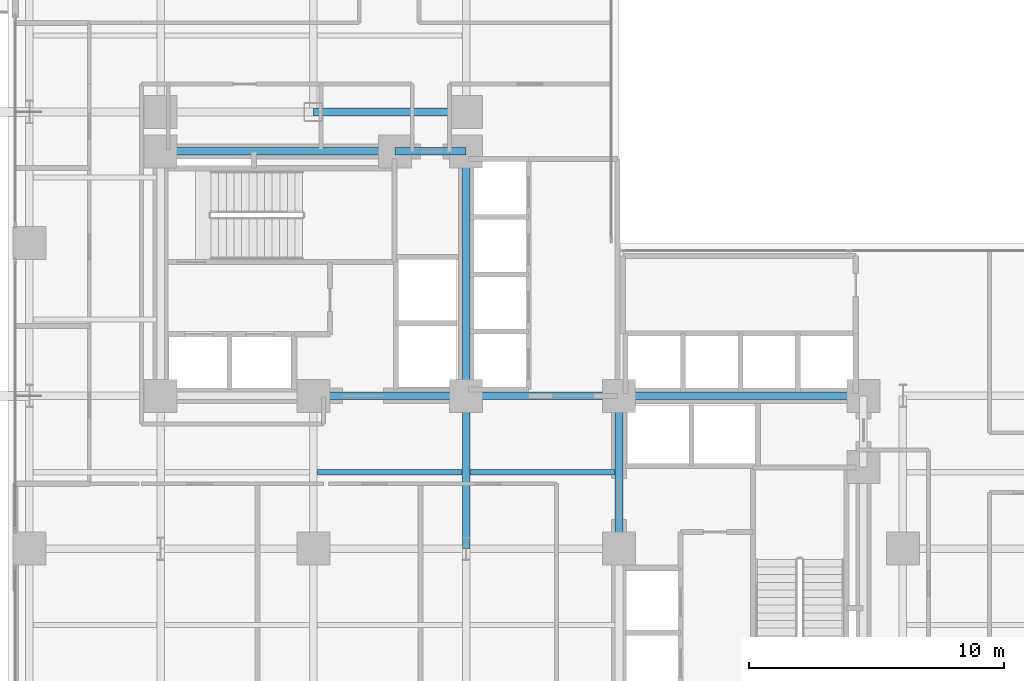
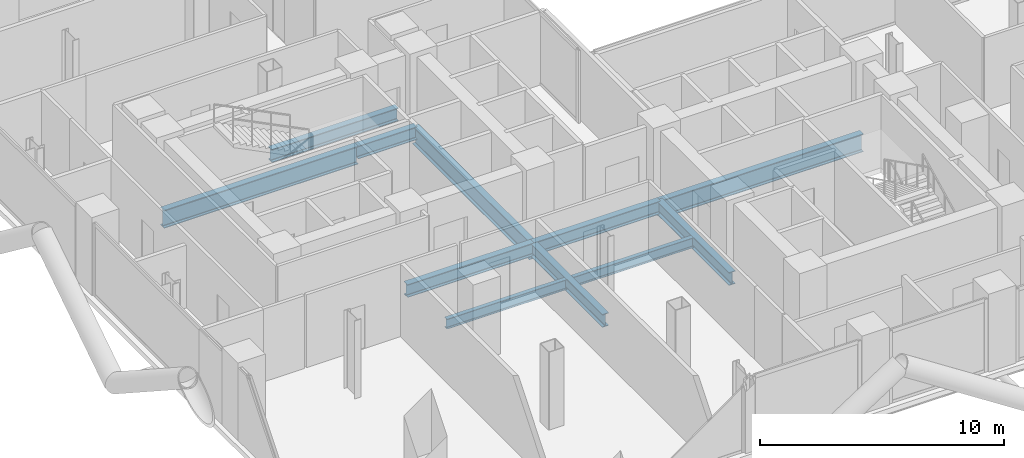
# One storey, part 6 of 27: 11 beams.
"""IFC4 building model written with IfcOpenShell, lengths in metres."""

from ifc_helpers import new_model, si_unit, direction, frame, origin, origin_2d, place, context, subcontext, project, spatial, i_section, extrude, material, material_profile, profile_set, type_object, element, save


model = new_model("IFC4")

# Units and contexts
model_context = context("Model", 3, precision=1e-05, world=origin(), true_north=direction((0.0, 1.0)))
body_context = subcontext(model_context, "Body", "Model", "MODEL_VIEW")
ifc_project = project(units=[si_unit("LENGTHUNIT", "METRE"), si_unit("AREAUNIT", "SQUARE_METRE"), si_unit("VOLUMEUNIT", "CUBIC_METRE"), si_unit("PLANEANGLEUNIT", "RADIAN"), si_unit("MASSUNIT", "GRAM", prefix="KILO"), si_unit("THERMODYNAMICTEMPERATUREUNIT", "KELVIN"), si_unit("POWERUNIT", "WATT")], contexts=[model_context])

# Site, building, storey
site_placement = place(None, origin())
site = spatial("IfcSite", under=ifc_project, at=site_placement, CompositionType="ELEMENT")
building_placement = place(site_placement, origin())
building = spatial("IfcBuilding", under=site, at=building_placement, Name="Svarakhadi Broadcast Tower", CompositionType="ELEMENT")
storey_placement = place(building_placement, frame((0.0, 0.0, 71.39990234375)))
storey = spatial("IfcBuildingStorey", under=building, at=storey_placement, Name="L16", CompositionType="ELEMENT", Elevation=71.39990234375)

# Beams
ifc_material_1 = material(Name="Steel S355J2 (IS 2062 E350C)", Category="steel")
ifc_material_profile_1 = material_profile(ifc_material_1, i_section(OverallWidth=0.199951171875, OverallDepth=0.5, WebThickness=0.01025390625, FlangeThickness=0.01611328125, FilletRadius=0.02099609375, at=origin_2d()), Name="NPB 500x200x91")
ifc_profile_set_1 = profile_set([ifc_material_profile_1], Name="Steel S355J2 (IS 2062 E350C)")
beam_type_1 = type_object("IfcBeamType", Name="Beam_NPB500", PredefinedType="BEAM", material=ifc_profile_set_1)
for number, where, z_axis, x_axis, name in (
    (1, (12.159912109375, 15.0, -0.5), (1.0, 0.0, 0.0), (0.0, 1.0, 0.0), "L16 Secondary Composite Beam SB015"),
    (2, (18.159912109375, 15.0, -0.5), (1.0, 0.0, 0.0), (0.0, 1.0, 0.0), "L16 Secondary Composite Beam SB021"),
):
    element("IfcBeam", number, at=place(storey_placement, frame(where, z_axis=z_axis, x_axis=x_axis)), inside=storey, type_object=beam_type_1, Name=name, PredefinedType="BEAM", context=body_context, shape_type="SweptSolid", body=[
        extrude(i_section(OverallWidth=0.199951171875, OverallDepth=0.5, WebThickness=0.01025390625, FlangeThickness=0.01611328125, FilletRadius=0.02099609375, at=origin_2d()), origin(), (0.0, 0.0, 1.0), 5.68017578125),
    ])
ifc_material_profile_2 = material_profile(ifc_material_1, i_section(OverallWidth=0.300048828125, OverallDepth=0.64990234375, WebThickness=0.01611328125, FlangeThickness=0.031005859375, FilletRadius=0.027099609375, at=origin_2d()), Name="WPB 650x300x225")
ifc_profile_set_2 = profile_set([ifc_material_profile_2], Name="Steel S355J2 (IS 2062 E350C)")
beam_type_2 = type_object("IfcBeamType", Name="Girder_WPB650", PredefinedType="USERDEFINED", material=ifc_profile_set_2)
for number, where, z_axis, x_axis, name in (
    (3, (12.0, 18.0, -0.574951171875), (1.0, 0.0, 0.0), (0.0, 1.0, 0.0), "L16 Primary E-W Girder G027"),
    (4, (18.0, 18.0, -0.574951171875), (1.0, 0.0, 0.0), (0.0, 1.0, 0.0), "L16 Primary E-W Girder G028"),
):
    element("IfcBeam", number, at=place(storey_placement, frame(where, z_axis=z_axis, x_axis=x_axis)), inside=storey, type_object=beam_type_2, Name=name, ObjectType="GIRDER", PredefinedType="USERDEFINED", context=body_context, shape_type="SweptSolid", body=[
        extrude(i_section(OverallWidth=0.300048828125, OverallDepth=0.64990234375, WebThickness=0.01611328125, FlangeThickness=0.031005859375, FilletRadius=0.027099609375, at=origin_2d()), origin(), (0.0, 0.0, 1.0), 6.0),
    ])
beam_1_placement = place(storey_placement, frame((15.199951171875, 27.60009765625, -0.574951171875), z_axis=(1.0, 0.0, 0.0), x_axis=(0.0, 1.0, 0.0)))
element("IfcBeam", 5, at=beam_1_placement, inside=storey, type_object=beam_type_2, Name="L16 Primary E-W Girder G033", ObjectType="GIRDER", PredefinedType="USERDEFINED", context=body_context, shape_type="SweptSolid", body=[
    extrude(i_section(OverallWidth=0.300048828125, OverallDepth=0.64990234375, WebThickness=0.01611328125, FlangeThickness=0.031005859375, FilletRadius=0.027099609375, at=origin_2d()), origin(), (0.0, 0.0, 1.0), 2.800048828125),
])
for number, where, z_axis, x_axis, name in (
    (6, (12.0, 29.14990234375, -0.574951171875), (1.0, 0.0, 0.0), (0.0, 1.0, 0.0), "L16 Primary E-W Girder G036"),
    (7, (18.0, 12.0, -0.574951171875), (0.0, 1.0, 0.0), (-1.0, 0.0, 0.0), "L16 Primary N-S Girder G066"),
    (8, (24.0, 12.0, -0.574951171875), (0.0, 1.0, 0.0), (-1.0, 0.0, 0.0), "L16 Primary N-S Girder G073"),
):
    element("IfcBeam", number, at=place(storey_placement, frame(where, z_axis=z_axis, x_axis=x_axis)), inside=storey, type_object=beam_type_2, Name=name, ObjectType="GIRDER", PredefinedType="USERDEFINED", context=body_context, shape_type="SweptSolid", body=[
        extrude(i_section(OverallWidth=0.300048828125, OverallDepth=0.64990234375, WebThickness=0.01611328125, FlangeThickness=0.031005859375, FilletRadius=0.027099609375, at=origin_2d()), origin(), (0.0, 0.0, 1.0), 6.0),
    ])
ifc_material_2 = material(Name="Steel S460ML (IS 2062 E450BR)", Category="steel")
ifc_material_profile_3 = material_profile(ifc_material_2, i_section(OverallWidth=0.300048828125, OverallDepth=0.89990234375, WebThickness=0.0185546875, FlangeThickness=0.034912109375, FilletRadius=0.030029296875, at=origin_2d()), Name="WPB 900x300x291")
ifc_profile_set_3 = profile_set([ifc_material_profile_3], Name="Steel S460ML (IS 2062 E450BR)")
beam_type_3 = type_object("IfcBeamType", Name="Girder_WPB900", PredefinedType="USERDEFINED", material=ifc_profile_set_3)
beam_2_placement = place(storey_placement, frame((24.0, 18.0, -0.699951171875), z_axis=(1.0, 0.0, 0.0), x_axis=(0.0, 1.0, 0.0)))
element("IfcBeam", 9, at=beam_2_placement, inside=storey, type_object=beam_type_3, Name="L16 Primary E-W Girder G029", ObjectType="GIRDER", PredefinedType="USERDEFINED", context=body_context, shape_type="SweptSolid", body=[
    extrude(i_section(OverallWidth=0.300048828125, OverallDepth=0.89990234375, WebThickness=0.0185546875, FlangeThickness=0.034912109375, FilletRadius=0.030029296875, at=origin_2d()), origin(), (0.0, 0.0, 1.0), 9.60009765625),
])
beam_3_placement = place(storey_placement, frame((6.0, 27.60009765625, -0.699951171875), z_axis=(1.0, 0.0, 0.0), x_axis=(0.0, 1.0, 0.0)))
element("IfcBeam", 10, at=beam_3_placement, inside=storey, type_object=beam_type_3, Name="L16 Primary E-W Girder G032", ObjectType="GIRDER", PredefinedType="USERDEFINED", context=body_context, shape_type="SweptSolid", body=[
    extrude(i_section(OverallWidth=0.300048828125, OverallDepth=0.89990234375, WebThickness=0.0185546875, FlangeThickness=0.034912109375, FilletRadius=0.030029296875, at=origin_2d()), origin(), (0.0, 0.0, 1.0), 9.199951171875),
])
beam_4_placement = place(storey_placement, frame((18.0, 18.0, -0.699951171875), z_axis=(0.0, 1.0, 0.0), x_axis=(-1.0, 0.0, 0.0)))
element("IfcBeam", 11, at=beam_4_placement, inside=storey, type_object=beam_type_3, Name="L16 Primary N-S Girder G067", ObjectType="GIRDER", PredefinedType="USERDEFINED", context=body_context, shape_type="SweptSolid", body=[
    extrude(i_section(OverallWidth=0.300048828125, OverallDepth=0.89990234375, WebThickness=0.0185546875, FlangeThickness=0.034912109375, FilletRadius=0.030029296875, at=origin_2d()), origin(), (0.0, 0.0, 1.0), 9.60009765625),
])

save(model, "model.ifc")
